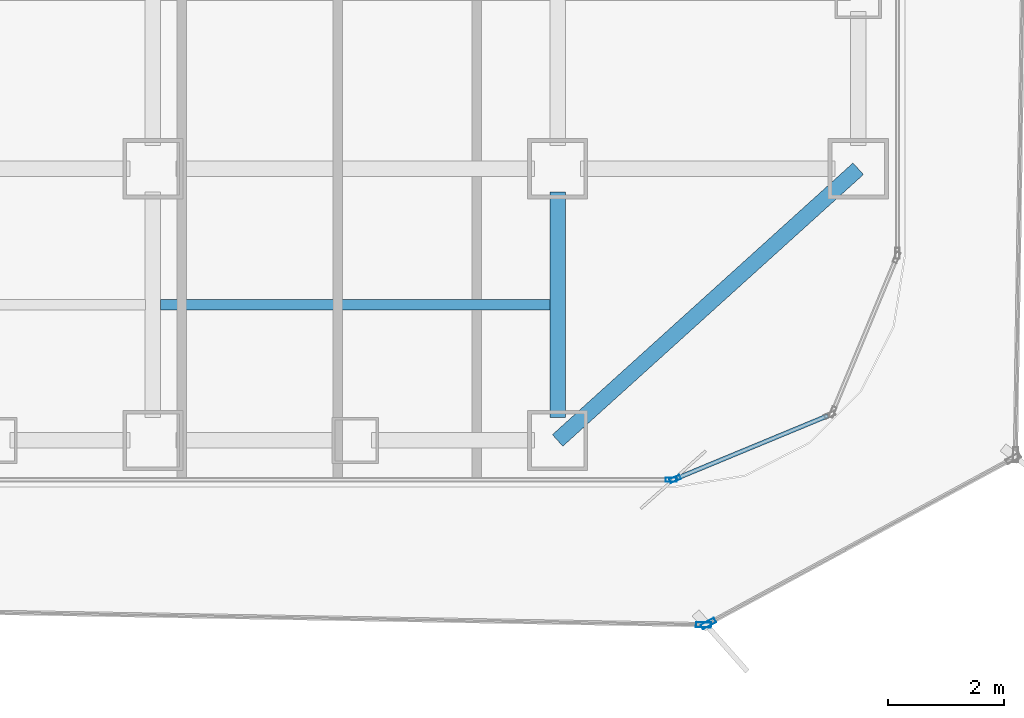
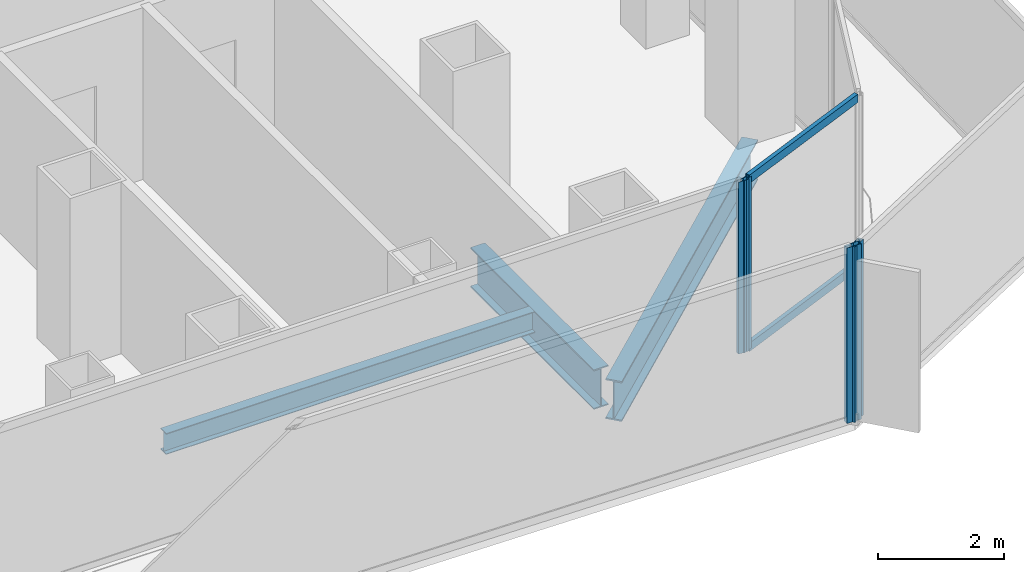
# One storey, part 6 of 21: 6 members, 3 beams, 4 elements without a shape of their own.
"""IFC4 building model written with IfcOpenShell, lengths in metres."""

from ifc_helpers import new_model, si_unit, direction, frame, origin, origin_2d, place, context, subcontext, project, spatial, hollow_rectangle, i_section, extrude, source, transform, mapped, material, layer, layer_set, material_profile, profile_set, type_object, element, aggregate, save


model = new_model("IFC4")

# Units and contexts
model_context = context("Model", 3, precision=1e-05, world=origin(), true_north=direction((0.0, 1.0)))
body_context = subcontext(model_context, "Body", "Model", "MODEL_VIEW")
ifc_project = project(units=[si_unit("LENGTHUNIT", "METRE"), si_unit("AREAUNIT", "SQUARE_METRE"), si_unit("VOLUMEUNIT", "CUBIC_METRE"), si_unit("PLANEANGLEUNIT", "RADIAN"), si_unit("MASSUNIT", "GRAM", prefix="KILO")], contexts=[model_context])

# Site, building, storey
site_placement = place(None, origin())
site = spatial("IfcSite", under=ifc_project, at=site_placement, CompositionType="ELEMENT")
building_placement = place(site_placement, origin())
building = spatial("IfcBuilding", under=site, at=building_placement, Name="Kolveth Station Tower", CompositionType="ELEMENT")
storey_placement = place(building_placement, frame((0.0, 0.0, 36.89990234375)))
storey = spatial("IfcBuildingStorey", under=building, at=storey_placement, Name="L09", CompositionType="ELEMENT", Elevation=36.89990234375)

# Beams
ifc_material_1 = material(Name="Steel S355", Category="steel")
ifc_material_profile_1 = material_profile(ifc_material_1, i_section(OverallWidth=0.26904296875, OverallDepth=0.77490234375, WebThickness=0.01708984375, FlangeThickness=0.0283203125, at=origin_2d()), Name="W760x220")
ifc_profile_set_1 = profile_set([ifc_material_profile_1], Name="Steel S355")
beam_type_1 = type_object("IfcBeamType", Name="Beam_SP1", PredefinedType="SPANDREL", material=ifc_profile_set_1)
shared_shape_1 = source(origin(), body_context, "Body", "SweptSolid", [
    extrude(i_section(OverallWidth=0.26904296875, OverallDepth=0.77490234375, WebThickness=0.01708984375, FlangeThickness=0.0283203125, at=origin_2d()), origin(), (0.0, 0.0, 1.0), 7.00927734375),
])
beam_1_placement = place(storey_placement, frame((41.0, 0.800048828125, -0.66748046875), z_axis=(0.741874009795, 0.670539300557, 0.0), x_axis=(-0.670539300557, 0.741874009795, 0.0)))
element("IfcBeam", 1, at=beam_1_placement, inside=storey, type_object=beam_type_1, Name="L09 Corner Edge Girder BM-L09-CNR-SE", PredefinedType="SPANDREL", context=body_context, shape_type="MappedRepresentation", body=[
    mapped(shared_shape_1, transform((0.0, 0.0, 0.0), x_axis=(1.0, 0.0, 0.0), y_axis=(0.0, 1.0, 0.0), z_axis=(0.0, 0.0, 1.0), scale=1.0)),
])
ifc_material_profile_2 = material_profile(ifc_material_1, i_section(OverallWidth=0.26708984375, OverallDepth=0.76611328125, WebThickness=0.014892578125, FlangeThickness=0.023681640625, at=origin_2d()), Name="W760x185")
ifc_profile_set_2 = profile_set([ifc_material_profile_2], Name="Steel S355")
beam_type_2 = type_object("IfcBeamType", Name="Beam_B3", PredefinedType="BEAM", material=ifc_profile_set_2)
shared_shape_2 = source(origin(), body_context, "Body", "SweptSolid", [
    extrude(i_section(OverallWidth=0.26708984375, OverallDepth=0.76611328125, WebThickness=0.014892578125, FlangeThickness=0.023681640625, at=origin_2d()), origin(), (0.0, 0.0, 1.0), 3.900146484375),
])
beam_2_placement = place(storey_placement, frame((41.0, 1.199951171875, -0.662841796875), z_axis=(0.0, 1.0, 0.0), x_axis=(-1.0, 0.0, 0.0)))
element("IfcBeam", 2, at=beam_2_placement, inside=storey, type_object=beam_type_2, Name="L09 Primary Girder BM-L09-GX410-1", PredefinedType="BEAM", context=body_context, shape_type="MappedRepresentation", body=[
    mapped(shared_shape_2, transform((0.0, 0.0, 0.0), x_axis=(1.0, 0.0, 0.0), y_axis=(0.0, 1.0, 0.0), z_axis=(0.0, 0.0, 1.0), scale=1.0)),
])
ifc_material_profile_3 = material_profile(ifc_material_1, i_section(OverallWidth=0.177978515625, OverallDepth=0.406982421875, WebThickness=0.0078125, FlangeThickness=0.0126953125, at=origin_2d()), Name="W410x60")
ifc_profile_set_3 = profile_set([ifc_material_profile_3], Name="Steel S355")
beam_type_3 = type_object("IfcBeamType", Name="Beam_J1", PredefinedType="JOIST", material=ifc_profile_set_3)
shared_shape_3 = source(origin(), body_context, "Body", "SweptSolid", [
    extrude(i_section(OverallWidth=0.177978515625, OverallDepth=0.406982421875, WebThickness=0.0078125, FlangeThickness=0.0126953125, at=origin_2d()), origin(), (0.0, 0.0, 1.0), 6.73681640625),
])
beam_3_placement = place(storey_placement, frame((34.131591796875, 3.14990234375, -0.4833984375), z_axis=(1.0, 0.0, 0.0), x_axis=(0.0, 1.0, 0.0)))
element("IfcBeam", 3, at=beam_3_placement, inside=storey, type_object=beam_type_3, Name="L09 Secondary Joist JST-L09-6-1", PredefinedType="JOIST", context=body_context, shape_type="MappedRepresentation", body=[
    mapped(shared_shape_3, transform((0.0, 0.0, 0.0), x_axis=(1.0, 0.0, 0.0), y_axis=(0.0, 1.0, 0.0), z_axis=(0.0, 0.0, 1.0), scale=1.0)),
])

# Curtain wall, member
ifc_material_2 = material(Name="Aluminium 6063-T6 and low-E dark glass", Category="aluminium")
ifc_layer_1 = layer(ifc_material_2, 0.179931640625)
ifc_layer_set_1 = layer_set([ifc_layer_1], Name="Aluminium 6063-T6 and low-E dark glass")
curtain_wall_type_1 = type_object("IfcCurtainWallType", Name="CurtainWall_CW-Z1", PredefinedType="NOTDEFINED", material=ifc_layer_set_1)
curtain_wall_1_placement = place(storey_placement, origin())
curtain_wall_1 = element("IfcCurtainWall", 4, at=curtain_wall_1_placement, inside=storey, type_object=curtain_wall_type_1, Name="L09 Inner Thermal Curtain Wall 1", PredefinedType="NOTDEFINED")
ifc_material_3 = material(Name="Black anodized aluminium 6063-T6", Category="aluminium")
ifc_material_profile_4 = material_profile(ifc_material_3, hollow_rectangle(XDim=0.074951171875, YDim=0.18994140625, WallThickness=0.0048828125, at=origin_2d()), Name="ALU-75x190x5")
ifc_profile_set_4 = profile_set([ifc_material_profile_4], Name="Black anodized aluminium 6063-T6")
member_type_1 = type_object("IfcMemberType", Name="Mullion_ML1", PredefinedType="MULLION", material=ifc_profile_set_4)
shared_shape_4 = source(origin(), body_context, "Body", "SweptSolid", [
    extrude(hollow_rectangle(XDim=0.074951171875, YDim=0.18994140625, WallThickness=0.0048828125, at=origin_2d()), origin(), (0.0, 0.0, 1.0), 3.320068359375),
])
member_1_placement = place(storey_placement, frame((43.03466796875, 0.13427734375, 0.0), z_axis=(0.0, 0.0, 1.0), x_axis=(-0.382672990201, 0.923883857728, 0.0)))
member_1 = element("IfcMember", 5, at=member_1_placement, type_object=member_type_1, Name="CW-Z1 mullion 1", PredefinedType="MULLION", context=body_context, shape_type="MappedRepresentation", body=[
    mapped(shared_shape_4, transform((0.0, 0.0, 0.0), x_axis=(1.0, 0.0, 0.0), y_axis=(0.0, 1.0, 0.0), z_axis=(0.0, 0.0, 1.0), scale=1.0)),
])

curtain_wall_2_placement = place(storey_placement, origin())
curtain_wall_2 = element("IfcCurtainWall", 6, at=curtain_wall_2_placement, inside=storey, type_object=curtain_wall_type_1, Name="L09 Inner Thermal Curtain Wall 12", PredefinedType="NOTDEFINED")
member_2_placement = place(storey_placement, frame((42.96240234375, 0.1201171875, 0.0), z_axis=(0.0, 0.0, 1.0), x_axis=(0.0, 1.0, 0.0)))
member_2 = element("IfcMember", 7, at=member_2_placement, type_object=member_type_1, Name="CW-Z1 mullion 3", PredefinedType="MULLION", context=body_context, shape_type="MappedRepresentation", body=[
    mapped(shared_shape_4, transform((0.0, 0.0, 0.0), x_axis=(1.0, 0.0, 0.0), y_axis=(0.0, 1.0, 0.0), z_axis=(0.0, 0.0, 1.0), scale=1.0)),
])
aggregate(curtain_wall_2, [member_2])

# Member
ifc_material_profile_5 = material_profile(ifc_material_3, hollow_rectangle(XDim=0.074951171875, YDim=0.159912109375, WallThickness=0.0048828125, at=origin_2d()), Name="ALU-75x160x5")
ifc_profile_set_5 = profile_set([ifc_material_profile_5], Name="Black anodized aluminium 6063-T6")
member_type_2 = type_object("IfcMemberType", Name="Transom_TR1", PredefinedType="USERDEFINED", material=ifc_profile_set_5)
shared_shape_5 = source(origin(), body_context, "Body", "SweptSolid", [
    extrude(hollow_rectangle(XDim=0.074951171875, YDim=0.159912109375, WallThickness=0.0048828125, at=origin_2d()), origin(), (0.0, 0.0, 1.0), 2.819580078125),
])
member_3_placement = place(storey_placement, frame((43.0693359375, 0.148681640625, 0.03759765625), z_axis=(0.923869084389, 0.382708655389, 0.0), x_axis=(-0.382708655389, 0.923869084389, 0.0)))
member_3 = element("IfcMember", 8, at=member_3_placement, type_object=member_type_2, Name="CW-Z1 transom 1.1", ObjectType="TRANSOM", PredefinedType="USERDEFINED", context=body_context, shape_type="MappedRepresentation", body=[
    mapped(shared_shape_5, transform((0.0, 0.0, 0.0), x_axis=(1.0, 0.0, 0.0), y_axis=(0.0, 1.0, 0.0), z_axis=(0.0, 0.0, 1.0), scale=1.0)),
])

member_4_placement = place(storey_placement, frame((43.0693359375, 0.148681640625, 3.28271484375), z_axis=(0.923869084389, 0.382708655389, 0.0), x_axis=(-0.382708655389, 0.923869084389, 0.0)))
member_4 = element("IfcMember", 9, at=member_4_placement, type_object=member_type_2, Name="CW-Z1 transom 1.2", ObjectType="TRANSOM", PredefinedType="USERDEFINED", context=body_context, shape_type="MappedRepresentation", body=[
    mapped(shared_shape_5, transform((0.0, 0.0, 0.0), x_axis=(1.0, 0.0, 0.0), y_axis=(0.0, 1.0, 0.0), z_axis=(0.0, 0.0, 1.0), scale=1.0)),
])

aggregate(curtain_wall_1, [member_1, member_3, member_4])

# Curtain wall, member
ifc_material_4 = material(Name="Black anodized aluminium 6063-T6 and dark solar glass", Category="aluminium")
ifc_layer_2 = layer(ifc_material_4, 0.159912109375)
ifc_layer_set_2 = layer_set([ifc_layer_2], Name="Black anodized aluminium 6063-T6 and dark solar glass")
curtain_wall_type_2 = type_object("IfcCurtainWallType", Name="OUTER SKIN CW-OS", PredefinedType="NOTDEFINED", material=ifc_layer_set_2)
curtain_wall_3_placement = place(storey_placement, origin())
curtain_wall_3 = element("IfcCurtainWall", 10, at=curtain_wall_3_placement, inside=storey, type_object=curtain_wall_type_2, Name="L09 Outer Ventilated Skin Curtain Wall 1", PredefinedType="NOTDEFINED")
ifc_material_profile_6 = material_profile(ifc_material_3, hollow_rectangle(XDim=0.090087890625, YDim=0.260009765625, WallThickness=0.0048828125, at=origin_2d()), Name="ALU-90x260x5")
ifc_profile_set_6 = profile_set([ifc_material_profile_6], Name="Black anodized aluminium 6063-T6")
member_type_3 = type_object("IfcMemberType", Name="FIN MULLION ML-OS", PredefinedType="MULLION", material=ifc_profile_set_6)
shared_shape_6 = source(origin(), body_context, "Body", "SweptSolid", [
    extrude(hollow_rectangle(XDim=0.090087890625, YDim=0.260009765625, WallThickness=0.0048828125, at=origin_2d()), origin(), (0.0, 0.0, 1.0), 3.39013671875),
])
member_5_placement = place(storey_placement, frame((43.6083984375, -2.36865234375, 0.0), z_axis=(0.0, 0.0, 1.0), x_axis=(-0.476411722678, 0.879222310053, 0.0)))
member_5 = element("IfcMember", 11, at=member_5_placement, type_object=member_type_3, Name="CW-OS mullion 1", PredefinedType="MULLION", context=body_context, shape_type="MappedRepresentation", body=[
    mapped(shared_shape_6, transform((0.0, 0.0, 0.0), x_axis=(1.0, 0.0, 0.0), y_axis=(0.0, 1.0, 0.0), z_axis=(0.0, 0.0, 1.0), scale=1.0)),
])
aggregate(curtain_wall_3, [member_5])

curtain_wall_4_placement = place(storey_placement, origin())
curtain_wall_4 = element("IfcCurtainWall", 12, at=curtain_wall_4_placement, inside=storey, type_object=curtain_wall_type_2, Name="L09 Outer Ventilated Skin Curtain Wall 8", PredefinedType="NOTDEFINED")
member_6_placement = place(storey_placement, frame((43.52392578125, -2.389404296875, 0.0), z_axis=(0.0, 0.0, 1.0), x_axis=(0.017382829529, 0.999848907204, 0.0)))
member_6 = element("IfcMember", 13, at=member_6_placement, type_object=member_type_3, Name="CW-OS mullion 2", PredefinedType="MULLION", context=body_context, shape_type="MappedRepresentation", body=[
    mapped(shared_shape_6, transform((0.0, 0.0, 0.0), x_axis=(1.0, 0.0, 0.0), y_axis=(0.0, 1.0, 0.0), z_axis=(0.0, 0.0, 1.0), scale=1.0)),
])
aggregate(curtain_wall_4, [member_6])

save(model, "model.ifc")
